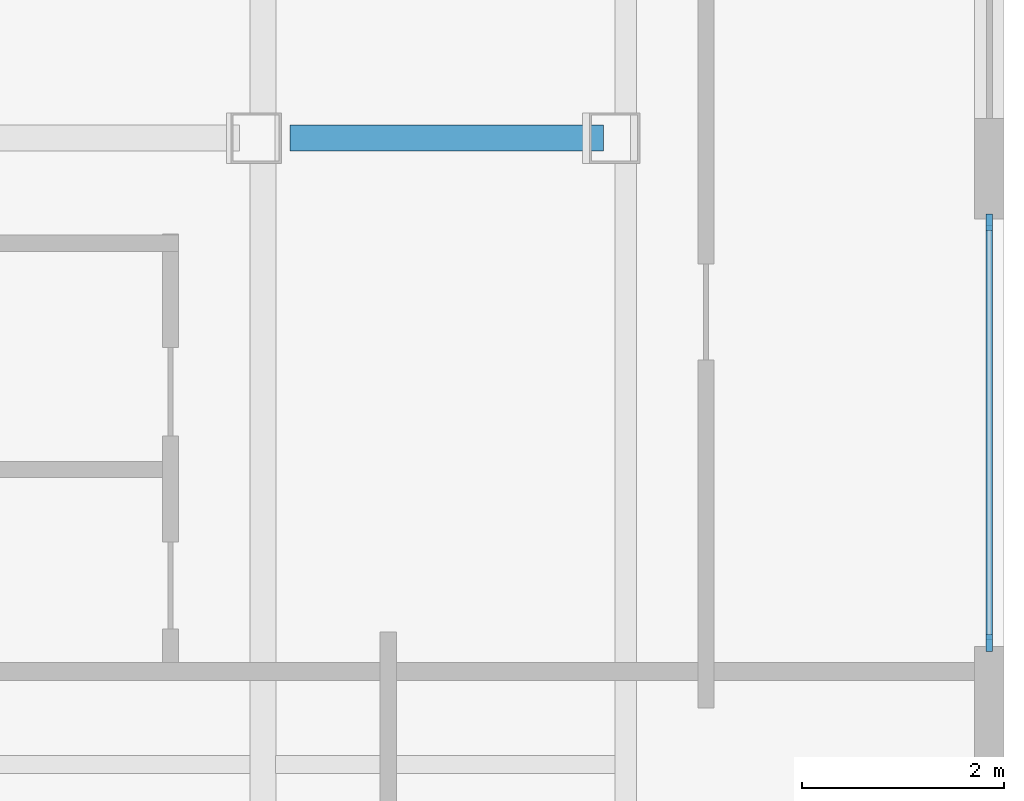
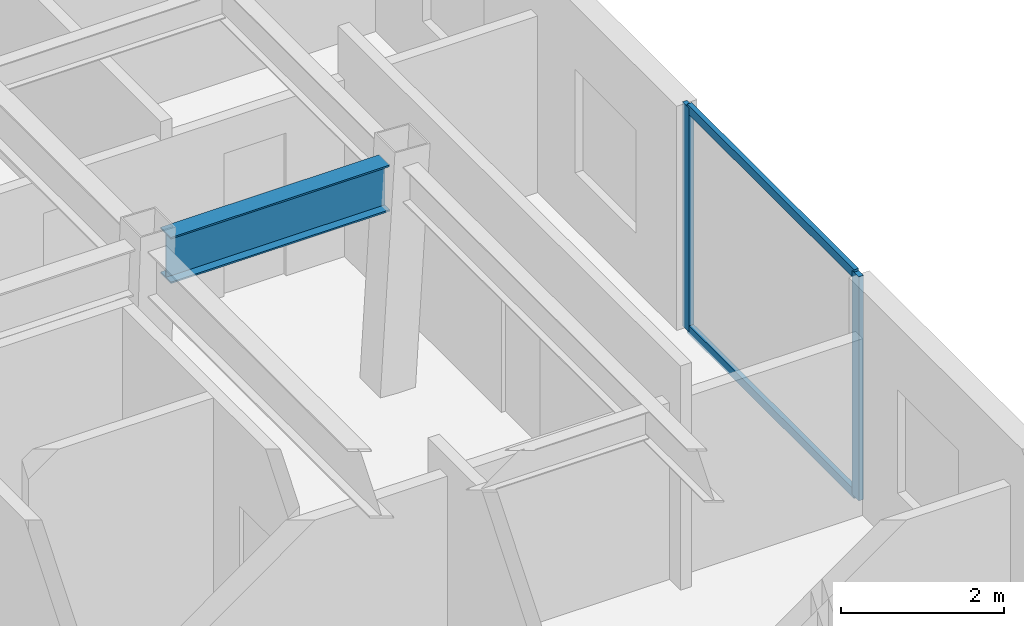
# One storey, part 5 of 13: 4 members, 1 beam, 1 element without a shape of its own.
"""IFC4 building model written with IfcOpenShell, lengths in metres."""

from ifc_helpers import new_model, si_unit, direction, frame, origin, origin_2d, place, context, subcontext, project, spatial, rectangle, i_section, extrude, material, layer, layer_set, material_profile, profile_set, type_object, element, aggregate, save


model = new_model("IFC4")

# Units and contexts
model_context = context("Model", 3, precision=1e-05, world=origin(), true_north=direction((0.0, 1.0)))
body_context = subcontext(model_context, "Body", "Model", "MODEL_VIEW")
ifc_project = project(units=[si_unit("LENGTHUNIT", "METRE"), si_unit("AREAUNIT", "SQUARE_METRE"), si_unit("VOLUMEUNIT", "CUBIC_METRE"), si_unit("PLANEANGLEUNIT", "RADIAN"), si_unit("MASSUNIT", "GRAM", prefix="KILO")], contexts=[model_context])

# Site, building, storey
site_placement = place(None, origin())
site = spatial("IfcSite", under=ifc_project, at=site_placement, CompositionType="ELEMENT")
building_placement = place(site_placement, origin())
building = spatial("IfcBuilding", under=site, at=building_placement, Name="Ochreholt Gables", CompositionType="ELEMENT")
storey_placement = place(building_placement, frame((0.0, 0.0, 34.800048828125)))
storey = spatial("IfcBuildingStorey", under=building, at=storey_placement, Name="L08", CompositionType="ELEMENT", Elevation=34.800048828125)

# Beam
ifc_material_1 = material(Name="Steel CSA G40.21 350W", Category="steel")
ifc_material_profile_1 = material_profile(ifc_material_1, i_section(OverallWidth=0.256103515625, OverallDepth=0.693115234375, WebThickness=0.014404296875, FlangeThickness=0.023681640625, at=origin_2d()), Name="W690X170")
ifc_profile_set_1 = profile_set([ifc_material_profile_1], Name="Steel CSA G40.21 350W")
beam_type = type_object("IfcBeamType", Name="BM-G-W690", PredefinedType="BEAM", material=ifc_profile_set_1)
beam_placement = place(storey_placement, frame((41.529541015625, 30.199951171875, 3.013427734375), z_axis=(1.0, 0.0, 0.0), x_axis=(0.0, 1.0, 0.0)))
element("IfcBeam", 1, at=beam_placement, inside=storey, type_object=beam_type, Name="L08 Beam TBG-L08-EMEE-Y4", PredefinedType="BEAM", context=body_context, shape_type="SweptSolid", body=[
    extrude(i_section(OverallWidth=0.256103515625, OverallDepth=0.693115234375, WebThickness=0.014404296875, FlangeThickness=0.023681640625, at=origin_2d()), origin(), (0.0, 0.0, 1.0), 3.10498046875),
])

# Curtain wall, members
ifc_material_2 = material(Name="Unitised Aluminium and Triple Glazing", Category="aluminium")
ifc_layer = layer(ifc_material_2, 0.179931640625, Name="Unitised Aluminium and Triple Glazing")
ifc_layer_set = layer_set([ifc_layer], Name="Unitised Aluminium and Triple Glazing")
curtain_wall_type = type_object("IfcCurtainWallType", Name="CW-SYS2", PredefinedType="NOTDEFINED", material=ifc_layer_set)
curtain_wall_placement = place(storey_placement, origin())
curtain_wall = element("IfcCurtainWall", 2, at=curtain_wall_placement, inside=storey, type_object=curtain_wall_type, Name="L08 East Unitised Curtain Wall", PredefinedType="NOTDEFINED")
ifc_material_3 = material(Name="Anodized Aluminium 6063-T6", Category="aluminium")
ifc_material_profile_2 = material_profile(ifc_material_3, rectangle(XDim=0.06494140625, YDim=0.1650390625, at=origin_2d()), Name="CWM65X165")
ifc_profile_set_2 = profile_set([ifc_material_profile_2], Name="Anodized Aluminium 6063-T6")
member_type_1 = type_object("IfcMemberType", Name="CW-MUL-B", PredefinedType="MULLION", material=ifc_profile_set_2)
member_1_placement = place(storey_placement, frame((48.455078125, 25.202392578125, 0.0), z_axis=(0.0, 0.0, 1.0), x_axis=(-1.0, 0.0, 0.0)))
member_1 = element("IfcMember", 3, at=member_1_placement, type_object=member_type_1, Name="CW-2 mullion 1", PredefinedType="MULLION", context=body_context, shape_type="SweptSolid", body=[
    extrude(rectangle(XDim=0.06494140625, YDim=0.1650390625, at=origin_2d()), origin(), (0.0, 0.0, 1.0), 3.35986328125),
])
member_2_placement = place(storey_placement, frame((48.455078125, 29.367431640625, 0.0), z_axis=(0.0, 0.0, 1.0), x_axis=(-1.0, 0.0, 0.0)))
member_2 = element("IfcMember", 4, at=member_2_placement, type_object=member_type_1, Name="CW-2 mullion 2", PredefinedType="MULLION", context=body_context, shape_type="SweptSolid", body=[
    extrude(rectangle(XDim=0.06494140625, YDim=0.1650390625, at=origin_2d()), origin(), (0.0, 0.0, 1.0), 3.35986328125),
])
ifc_material_profile_3 = material_profile(ifc_material_3, rectangle(XDim=0.06494140625, YDim=0.135009765625, at=origin_2d()), Name="CWT65X135")
ifc_profile_set_3 = profile_set([ifc_material_profile_3], Name="Anodized Aluminium 6063-T6")
member_type_2 = type_object("IfcMemberType", Name="CW-TRN-B", PredefinedType="USERDEFINED", material=ifc_profile_set_3)
member_3_placement = place(storey_placement, frame((48.455078125, 25.235107421875, 0.032470703125), z_axis=(0.0, 1.0, 0.0), x_axis=(-1.0, 0.0, 0.0)))
member_3 = element("IfcMember", 5, at=member_3_placement, type_object=member_type_2, Name="CW-2 transom 1.1", ObjectType="TRANSOM", PredefinedType="USERDEFINED", context=body_context, shape_type="SweptSolid", body=[
    extrude(rectangle(XDim=0.06494140625, YDim=0.135009765625, at=origin_2d()), origin(), (0.0, 0.0, 1.0), 4.099853515625),
])
member_4_placement = place(storey_placement, frame((48.455078125, 25.235107421875, 3.327392578125), z_axis=(0.0, 1.0, 0.0), x_axis=(-1.0, 0.0, 0.0)))
member_4 = element("IfcMember", 6, at=member_4_placement, type_object=member_type_2, Name="CW-2 transom 1.2", ObjectType="TRANSOM", PredefinedType="USERDEFINED", context=body_context, shape_type="SweptSolid", body=[
    extrude(rectangle(XDim=0.06494140625, YDim=0.135009765625, at=origin_2d()), origin(), (0.0, 0.0, 1.0), 4.099853515625),
])
aggregate(curtain_wall, [member_1, member_2, member_3, member_4])

save(model, "model.ifc")
